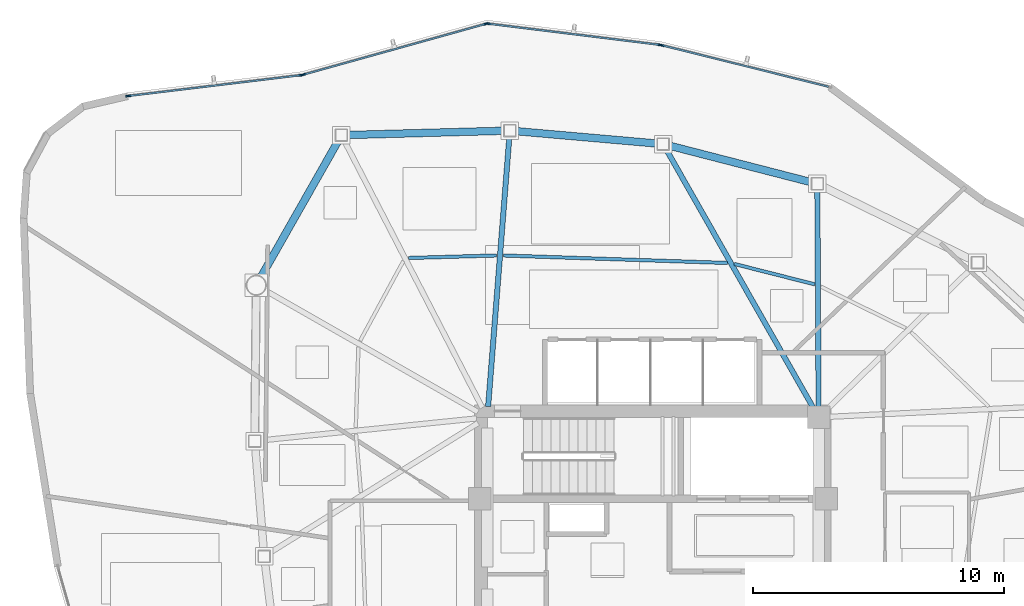
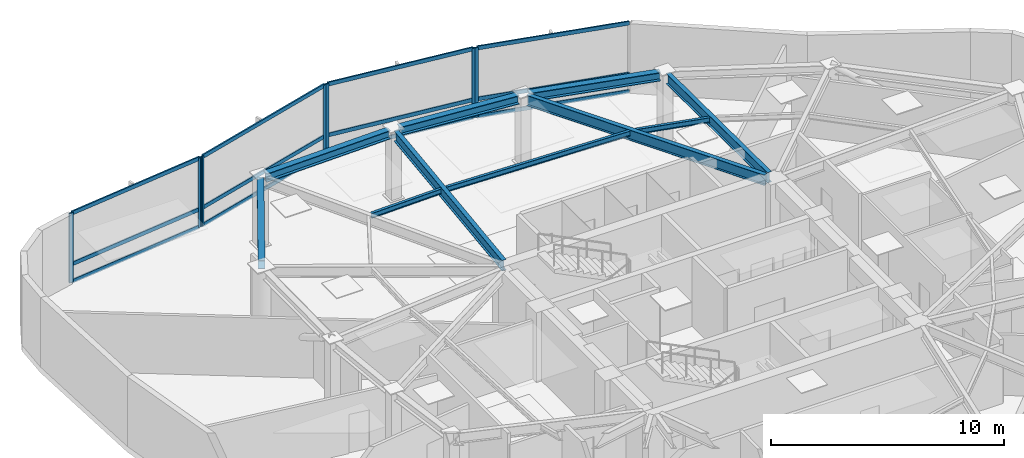
# One storey, part 6 of 14: 19 members, 10 beams, 4 elements without a shape of their own.
"""IFC4 building model written with IfcOpenShell, lengths in metres."""

from ifc_helpers import new_model, si_unit, direction, frame, origin, origin_2d, place, context, subcontext, project, spatial, hollow_rectangle, i_section, extrude, source, transform, mapped, material, layer, layer_set, material_profile, profile_set, type_object, type_shapes, element, aggregate, save


model = new_model("IFC4")

# Units and contexts
model_context = context("Model", 3, precision=1e-05, world=origin(), true_north=direction((0.0, 1.0)))
body_context = subcontext(model_context, "Body", "Model", "MODEL_VIEW")
ifc_project = project(units=[si_unit("LENGTHUNIT", "METRE"), si_unit("AREAUNIT", "SQUARE_METRE"), si_unit("VOLUMEUNIT", "CUBIC_METRE"), si_unit("PLANEANGLEUNIT", "RADIAN"), si_unit("MASSUNIT", "GRAM", prefix="KILO")], contexts=[model_context])

# Site, building, storey
site_placement = place(None, origin())
site = spatial("IfcSite", under=ifc_project, at=site_placement, CompositionType="ELEMENT")
building_placement = place(site_placement, origin())
building = spatial("IfcBuilding", under=site, at=building_placement, Name="Tavelor Broadcast Tower", CompositionType="ELEMENT")
storey_placement = place(building_placement, frame((0.0, 0.0, 249.800048828125)))
storey = spatial("IfcBuildingStorey", under=building, at=storey_placement, Name="L59", CompositionType="ELEMENT", Elevation=249.800048828125)

# Beams
ifc_material_1 = material(Name="Steel S355", Category="steel")
ifc_material_profile_1 = material_profile(ifc_material_1, i_section(OverallWidth=0.135009765625, OverallDepth=0.27001953125, WebThickness=0.006591796875, FlangeThickness=0.01025390625, at=origin_2d()), Name="IPE 270")
ifc_profile_set_1 = profile_set([ifc_material_profile_1], Name="Steel S355")
beam_type_1 = type_object("IfcBeamType", Name="Composite Floor Joist T6 IPE 270", PredefinedType="JOIST", material=ifc_profile_set_1)
beam_1_placement = place(storey_placement, frame((56.439208984375, 56.498779296875, 3.514892578125), z_axis=(-0.969346722977, 0.245696826706, 0.0), x_axis=(-0.245696826706, -0.969346722977, 0.0)))
element("IfcBeam", 1, at=beam_1_placement, inside=storey, type_object=beam_type_1, Name="L59 Secondary Composite Floor Joist 15", PredefinedType="JOIST", context=body_context, shape_type="SweptSolid", body=[
    extrude(i_section(OverallWidth=0.135009765625, OverallDepth=0.27001953125, WebThickness=0.006591796875, FlangeThickness=0.01025390625, at=origin_2d()), origin(), (0.0, 0.0, 1.0), 3.305908203125),
])
beam_2_placement = place(storey_placement, frame((52.970458984375, 57.348388671875, 3.514892578125), z_axis=(-0.999441322178, 0.033422201056, 0.0), x_axis=(-0.033422201056, -0.999441322178, 0.0)))
element("IfcBeam", 2, at=beam_2_placement, inside=storey, type_object=beam_type_1, Name="L59 Secondary Composite Floor Joist 16", PredefinedType="JOIST", context=body_context, shape_type="SweptSolid", body=[
    extrude(i_section(OverallWidth=0.135009765625, OverallDepth=0.27001953125, WebThickness=0.006591796875, FlangeThickness=0.01025390625, at=origin_2d()), origin(), (0.0, 0.0, 1.0), 8.93359375),
])
beam_3_placement = place(storey_placement, frame((43.773681640625, 57.647705078125, 3.514892578125), z_axis=(-0.999591520458, -0.028579577129, 0.0), x_axis=(0.028579577129, -0.999591520458, 0.0)))
element("IfcBeam", 3, at=beam_3_placement, inside=storey, type_object=beam_type_1, Name="L59 Secondary Composite Floor Joist 17", PredefinedType="JOIST", context=body_context, shape_type="SweptSolid", body=[
    extrude(i_section(OverallWidth=0.135009765625, OverallDepth=0.27001953125, WebThickness=0.006591796875, FlangeThickness=0.01025390625, at=origin_2d()), origin(), (0.0, 0.0, 1.0), 3.51953125),
])
ifc_material_profile_2 = material_profile(ifc_material_1, i_section(OverallWidth=0.300048828125, OverallDepth=0.449951171875, WebThickness=0.013916015625, FlangeThickness=0.02587890625, at=origin_2d()), Name="HEB 450")
ifc_profile_set_2 = profile_set([ifc_material_profile_2], Name="Steel S355")
beam_type_2 = type_object("IfcBeamType", Name="Perimeter Spandrel Beam T6 HEB 450", PredefinedType="SPANDREL", material=ifc_profile_set_2)
beam_4_placement = place(storey_placement, frame((56.313232421875, 60.56396484375, 3.425048828125), z_axis=(-0.968399822455, 0.249402854572, 0.0), x_axis=(-0.249402854572, -0.968399822455, 0.0)))
element("IfcBeam", 4, at=beam_4_placement, inside=storey, type_object=beam_type_2, Name="L59 Framed-Tube Ring Spandrel 15", PredefinedType="SPANDREL", context=body_context, shape_type="SweptSolid", body=[
    extrude(i_section(OverallWidth=0.300048828125, OverallDepth=0.449951171875, WebThickness=0.013916015625, FlangeThickness=0.02587890625, at=origin_2d()), origin(), (0.0, 0.0, 1.0), 5.858642578125),
])
beam_5_placement = place(storey_placement, frame((50.168212890625, 62.10595703125, 3.425048828125), z_axis=(-0.996167133993, 0.08747023009, 0.0), x_axis=(-0.08747023009, -0.996167133993, 0.0)))
element("IfcBeam", 5, at=beam_5_placement, inside=storey, type_object=beam_type_2, Name="L59 Framed-Tube Ring Spandrel 16", PredefinedType="SPANDREL", context=body_context, shape_type="SweptSolid", body=[
    extrude(i_section(OverallWidth=0.300048828125, OverallDepth=0.449951171875, WebThickness=0.013916015625, FlangeThickness=0.02587890625, at=origin_2d()), origin(), (0.0, 0.0, 1.0), 5.652099609375),
])
beam_6_placement = place(storey_placement, frame((44.058837890625, 62.61474609375, 3.425048828125), z_axis=(-0.99963121329, -0.027155798934, 0.0), x_axis=(0.027155798934, -0.99963121329, 0.0)))
element("IfcBeam", 6, at=beam_6_placement, inside=storey, type_object=beam_type_2, Name="L59 Framed-Tube Ring Spandrel 17", PredefinedType="SPANDREL", context=body_context, shape_type="SweptSolid", body=[
    extrude(i_section(OverallWidth=0.300048828125, OverallDepth=0.449951171875, WebThickness=0.013916015625, FlangeThickness=0.02587890625, at=origin_2d()), origin(), (0.0, 0.0, 1.0), 6.230224609375),
])
beam_7_placement = place(storey_placement, frame((37.472412109375, 62.23046875, 3.425048828125), z_axis=(-0.493720585512, -0.869620597411, 0.0), x_axis=(0.869620597411, -0.493720585512, 0.0)))
element("IfcBeam", 7, at=beam_7_placement, inside=storey, type_object=beam_type_2, Name="L59 Framed-Tube Ring Spandrel 18", PredefinedType="SPANDREL", context=body_context, shape_type="SweptSolid", body=[
    extrude(i_section(OverallWidth=0.300048828125, OverallDepth=0.449951171875, WebThickness=0.013916015625, FlangeThickness=0.02587890625, at=origin_2d()), origin(), (0.0, 0.0, 1.0), 6.245361328125),
])
ifc_material_profile_3 = material_profile(ifc_material_1, i_section(OverallWidth=0.2099609375, OverallDepth=0.550048828125, WebThickness=0.010986328125, FlangeThickness=0.01708984375, at=origin_2d()), Name="IPE 550")
ifc_profile_set_3 = profile_set([ifc_material_profile_3], Name="Steel S355")
beam_type_3 = type_object("IfcBeamType", Name="Radial Floor Girder T6 IPE 550", PredefinedType="BEAM", material=ifc_profile_set_3)
beam_8_placement = place(storey_placement, frame((56.597412109375, 51.632080078125, 3.375), z_axis=(-0.005826187281, 0.999983027627, 0.0), x_axis=(-0.999983027627, -0.005826187281, 0.0)))
element("IfcBeam", 8, at=beam_8_placement, inside=storey, type_object=beam_type_3, Name="L59 Radial Primary Floor Girder 15", PredefinedType="BEAM", context=body_context, shape_type="SweptSolid", body=[
    extrude(i_section(OverallWidth=0.2099609375, OverallDepth=0.550048828125, WebThickness=0.010986328125, FlangeThickness=0.01708984375, at=origin_2d()), origin(), (0.0, 0.0, 1.0), 8.63232421875),
])
beam_9_placement = place(storey_placement, frame((56.386474609375, 51.575439453125, 3.375), z_axis=(-0.49450305234, 0.869175891996, 0.0), x_axis=(-0.869175891996, -0.49450305234, 0.0)))
element("IfcBeam", 9, at=beam_9_placement, inside=storey, type_object=beam_type_3, Name="L59 Radial Primary Floor Girder 16", PredefinedType="BEAM", context=body_context, shape_type="SweptSolid", body=[
    extrude(i_section(OverallWidth=0.2099609375, OverallDepth=0.550048828125, WebThickness=0.010986328125, FlangeThickness=0.01708984375, at=origin_2d()), origin(), (0.0, 0.0, 1.0), 11.8515625),
])
beam_10_placement = place(storey_placement, frame((43.433837890625, 51.630615234375, 3.375), z_axis=(0.078462115784, 0.996917096045, 0.0), x_axis=(-0.996917096045, 0.078462115784, 0.0)))
element("IfcBeam", 10, at=beam_10_placement, inside=storey, type_object=beam_type_3, Name="L59 Radial Primary Floor Girder 17", PredefinedType="BEAM", context=body_context, shape_type="SweptSolid", body=[
    extrude(i_section(OverallWidth=0.2099609375, OverallDepth=0.550048828125, WebThickness=0.010986328125, FlangeThickness=0.01708984375, at=origin_2d()), origin(), (0.0, 0.0, 1.0), 10.78466796875),
])

# Curtain wall, member
ifc_material_2 = material(Name="Architectural Anodized Aluminium", Category="aluminium")
ifc_layer = layer(ifc_material_2, 0.199951171875)
ifc_layer_set = layer_set([ifc_layer], Name="Architectural Anodized Aluminium")
curtain_wall_type = type_object("IfcCurtainWallType", Name="Tower High-Zone Triple-Glazed Curtain Wall CW04", PredefinedType="NOTDEFINED", material=ifc_layer_set)
curtain_wall_1_placement = place(storey_placement, origin())
curtain_wall_1 = element("IfcCurtainWall", 11, at=curtain_wall_1_placement, inside=storey, type_object=curtain_wall_type, Name="L59 Curtain Wall CW04 Run 645", PredefinedType="NOTDEFINED")
ifc_material_profile_4 = material_profile(ifc_material_2, hollow_rectangle(XDim=0.070068359375, YDim=0.199951171875, WallThickness=0.02197265625, at=origin_2d()), Name="RHS 70x200x22")
ifc_profile_set_4 = profile_set([ifc_material_profile_4], Name="Architectural Anodized Aluminium")
member_type_1 = type_object("IfcMemberType", Name="CW04 Extruded Aluminium Mullion 70x200", PredefinedType="MULLION", material=ifc_profile_set_4)
shared_shape_1 = source(origin(), body_context, "Body", "SweptSolid", [
    extrude(hollow_rectangle(XDim=0.070068359375, YDim=0.199951171875, WallThickness=0.02197265625, at=origin_2d()), origin(), (0.0, 0.0, 1.0), 3.64990234375),
])
type_shapes(member_type_1, [shared_shape_1])
member_1_placement = place(storey_placement, frame((50.346923828125, 66.021728515625, 0.0), z_axis=(0.0, 0.0, 1.0), x_axis=(-0.241506124252, -0.970399295109, 0.0)))
member_1 = element("IfcMember", 12, at=member_1_placement, type_object=member_type_1, Name="CW04 mullion 2", PredefinedType="MULLION", context=body_context, shape_type="MappedRepresentation", body=[
    mapped(shared_shape_1, transform((0.0, 0.0, 0.0), scale=1.0)),
])

# Curtain wall, members
curtain_wall_2_placement = place(storey_placement, origin())
curtain_wall_2 = element("IfcCurtainWall", 13, at=curtain_wall_2_placement, inside=storey, type_object=curtain_wall_type, Name="L59 Curtain Wall CW04 Run 646", PredefinedType="NOTDEFINED")
member_2_placement = place(storey_placement, frame((50.248779296875, 66.039794921875, 0.0), z_axis=(0.0, 0.0, 1.0), x_axis=(-0.122298579455, -0.992493353863, 0.0)))
member_2 = element("IfcMember", 14, at=member_2_placement, type_object=member_type_1, Name="CW04 mullion 1", PredefinedType="MULLION", context=body_context, shape_type="MappedRepresentation", body=[
    mapped(shared_shape_1, transform((0.0, 0.0, 0.0), scale=1.0)),
])
member_3_placement = place(storey_placement, frame((43.4365234375, 66.879150390625, 0.0), z_axis=(0.0, 0.0, 1.0), x_axis=(-0.122298579455, -0.992493353863, 0.0)))
member_3 = element("IfcMember", 15, at=member_3_placement, type_object=member_type_1, Name="CW04 mullion 2", PredefinedType="MULLION", context=body_context, shape_type="MappedRepresentation", body=[
    mapped(shared_shape_1, transform((0.0, 0.0, 0.0), scale=1.0)),
])

curtain_wall_3_placement = place(storey_placement, origin())
curtain_wall_3 = element("IfcCurtainWall", 16, at=curtain_wall_3_placement, inside=storey, type_object=curtain_wall_type, Name="L59 Curtain Wall CW04 Run 647", PredefinedType="NOTDEFINED")
member_4_placement = place(storey_placement, frame((43.338623046875, 66.871826171875, 0.0), z_axis=(0.0, 0.0, 1.0), x_axis=(0.26824851982, -0.963349745219, 0.0)))
member_4 = element("IfcMember", 17, at=member_4_placement, type_object=member_type_1, Name="CW04 mullion 1", PredefinedType="MULLION", context=body_context, shape_type="MappedRepresentation", body=[
    mapped(shared_shape_1, transform((0.0, 0.0, 0.0), scale=1.0)),
])
member_5_placement = place(storey_placement, frame((36.06884765625, 64.84765625, 0.0), z_axis=(0.0, 0.0, 1.0), x_axis=(0.26824851982, -0.963349745219, 0.0)))
member_5 = element("IfcMember", 18, at=member_5_placement, type_object=member_type_1, Name="CW04 mullion 2", PredefinedType="MULLION", context=body_context, shape_type="MappedRepresentation", body=[
    mapped(shared_shape_1, transform((0.0, 0.0, 0.0), scale=1.0)),
])

curtain_wall_4_placement = place(storey_placement, origin())
curtain_wall_4 = element("IfcCurtainWall", 19, at=curtain_wall_4_placement, inside=storey, type_object=curtain_wall_type, Name="L59 Curtain Wall CW04 Run 648", PredefinedType="NOTDEFINED")
member_6_placement = place(storey_placement, frame((35.970947265625, 64.828125, 0.0), z_axis=(0.0, 0.0, 1.0), x_axis=(0.119729211583, -0.99280658534, 0.0)))
member_6 = element("IfcMember", 20, at=member_6_placement, type_object=member_type_1, Name="CW04 mullion 1", PredefinedType="MULLION", context=body_context, shape_type="MappedRepresentation", body=[
    mapped(shared_shape_1, transform((0.0, 0.0, 0.0), scale=1.0)),
])
member_7_placement = place(storey_placement, frame((29.1025390625, 64.0, 0.0), z_axis=(0.0, 0.0, 1.0), x_axis=(0.119729211583, -0.99280658534, 0.0)))
member_7 = element("IfcMember", 21, at=member_7_placement, type_object=member_type_1, Name="CW04 mullion 2", PredefinedType="MULLION", context=body_context, shape_type="MappedRepresentation", body=[
    mapped(shared_shape_1, transform((0.0, 0.0, 0.0), scale=1.0)),
])

# Member
ifc_material_profile_5 = material_profile(ifc_material_2, hollow_rectangle(XDim=0.070068359375, YDim=0.199951171875, WallThickness=0.02197265625, at=origin_2d()), Name="RHS 70x200x22")
ifc_profile_set_5 = profile_set([ifc_material_profile_5], Name="Architectural Anodized Aluminium")
member_type_2 = type_object("IfcMemberType", Name="CW04 Extruded Aluminium Transom 70x200", PredefinedType="USERDEFINED", material=ifc_profile_set_5)
shared_shape_2 = source(origin(), body_context, "Body", "SweptSolid", [
    extrude(hollow_rectangle(XDim=0.070068359375, YDim=0.199951171875, WallThickness=0.02197265625, at=origin_2d()), origin(), (0.0, 0.0, 1.0), 6.808837890625),
])
member_8_placement = place(storey_placement, frame((56.98828125, 64.368896484375, 0.034912109375), z_axis=(-0.970403473081, 0.241489336063, 0.0), x_axis=(-0.241489336063, -0.970403473081, 0.0)))
member_8 = element("IfcMember", 22, at=member_8_placement, type_object=member_type_2, Name="CW04 transom 1.1", ObjectType="TRANSOM", PredefinedType="USERDEFINED", context=body_context, shape_type="MappedRepresentation", body=[
    mapped(shared_shape_2, transform((0.0, 0.0, 0.0), scale=1.0)),
])

member_9_placement = place(storey_placement, frame((56.98828125, 64.368896484375, 0.949951171875), z_axis=(-0.970403473081, 0.241489336063, 0.0), x_axis=(-0.241489336063, -0.970403473081, 0.0)))
member_9 = element("IfcMember", 23, at=member_9_placement, type_object=member_type_2, Name="CW04 transom 1.2", ObjectType="TRANSOM", PredefinedType="USERDEFINED", context=body_context, shape_type="MappedRepresentation", body=[
    mapped(shared_shape_2, transform((0.0, 0.0, 0.0), scale=1.0)),
])

member_10_placement = place(storey_placement, frame((56.98828125, 64.368896484375, 3.614990234375), z_axis=(-0.970403473081, 0.241489336063, 0.0), x_axis=(-0.241489336063, -0.970403473081, 0.0)))
member_10 = element("IfcMember", 24, at=member_10_placement, type_object=member_type_2, Name="CW04 transom 1.3", ObjectType="TRANSOM", PredefinedType="USERDEFINED", context=body_context, shape_type="MappedRepresentation", body=[
    mapped(shared_shape_2, transform((0.0, 0.0, 0.0), scale=1.0)),
])

aggregate(curtain_wall_1, [member_1, member_8, member_9, member_10])

shared_shape_3 = source(origin(), body_context, "Body", "SweptSolid", [
    extrude(hollow_rectangle(XDim=0.070068359375, YDim=0.199951171875, WallThickness=0.02197265625, at=origin_2d()), origin(), (0.0, 0.0, 1.0), 6.848388671875),
])
member_11_placement = place(storey_placement, frame((35.936279296875, 64.823974609375, 0.034912109375), z_axis=(-0.992808695011, -0.119711716681, 0.0), x_axis=(0.119711716681, -0.992808695011, 0.0)))
member_11 = element("IfcMember", 25, at=member_11_placement, type_object=member_type_2, Name="CW04 transom 1.1", ObjectType="TRANSOM", PredefinedType="USERDEFINED", context=body_context, shape_type="MappedRepresentation", body=[
    mapped(shared_shape_3, transform((0.0, 0.0, 0.0), scale=1.0)),
])

member_12_placement = place(storey_placement, frame((35.936279296875, 64.823974609375, 0.949951171875), z_axis=(-0.992808695011, -0.119711716681, 0.0), x_axis=(0.119711716681, -0.992808695011, 0.0)))
member_12 = element("IfcMember", 26, at=member_12_placement, type_object=member_type_2, Name="CW04 transom 1.2", ObjectType="TRANSOM", PredefinedType="USERDEFINED", context=body_context, shape_type="MappedRepresentation", body=[
    mapped(shared_shape_3, transform((0.0, 0.0, 0.0), scale=1.0)),
])

member_13_placement = place(storey_placement, frame((35.936279296875, 64.823974609375, 3.614990234375), z_axis=(-0.992808695011, -0.119711716681, 0.0), x_axis=(0.119711716681, -0.992808695011, 0.0)))
member_13 = element("IfcMember", 27, at=member_13_placement, type_object=member_type_2, Name="CW04 transom 1.3", ObjectType="TRANSOM", PredefinedType="USERDEFINED", context=body_context, shape_type="MappedRepresentation", body=[
    mapped(shared_shape_3, transform((0.0, 0.0, 0.0), scale=1.0)),
])

aggregate(curtain_wall_4, [member_6, member_7, member_11, member_12, member_13])

shared_shape_4 = source(origin(), body_context, "Body", "SweptSolid", [
    extrude(hollow_rectangle(XDim=0.070068359375, YDim=0.199951171875, WallThickness=0.02197265625, at=origin_2d()), origin(), (0.0, 0.0, 1.0), 6.7939453125),
])
member_14_placement = place(storey_placement, frame((50.214111328125, 66.0439453125, 0.034912109375), z_axis=(-0.992490352305, 0.122322935633, 0.0), x_axis=(-0.122322935633, -0.992490352305, 0.0)))
member_14 = element("IfcMember", 28, at=member_14_placement, type_object=member_type_2, Name="CW04 transom 1.1", ObjectType="TRANSOM", PredefinedType="USERDEFINED", context=body_context, shape_type="MappedRepresentation", body=[
    mapped(shared_shape_4, transform((0.0, 0.0, 0.0), scale=1.0)),
])

member_15_placement = place(storey_placement, frame((50.214111328125, 66.0439453125, 0.949951171875), z_axis=(-0.992490352305, 0.122322935633, 0.0), x_axis=(-0.122322935633, -0.992490352305, 0.0)))
member_15 = element("IfcMember", 29, at=member_15_placement, type_object=member_type_2, Name="CW04 transom 1.2", ObjectType="TRANSOM", PredefinedType="USERDEFINED", context=body_context, shape_type="MappedRepresentation", body=[
    mapped(shared_shape_4, transform((0.0, 0.0, 0.0), scale=1.0)),
])

member_16_placement = place(storey_placement, frame((50.214111328125, 66.0439453125, 3.614990234375), z_axis=(-0.992490352305, 0.122322935633, 0.0), x_axis=(-0.122322935633, -0.992490352305, 0.0)))
member_16 = element("IfcMember", 30, at=member_16_placement, type_object=member_type_2, Name="CW04 transom 1.3", ObjectType="TRANSOM", PredefinedType="USERDEFINED", context=body_context, shape_type="MappedRepresentation", body=[
    mapped(shared_shape_4, transform((0.0, 0.0, 0.0), scale=1.0)),
])

aggregate(curtain_wall_2, [member_2, member_3, member_14, member_15, member_16])

shared_shape_5 = source(origin(), body_context, "Body", "SweptSolid", [
    extrude(hollow_rectangle(XDim=0.070068359375, YDim=0.199951171875, WallThickness=0.02197265625, at=origin_2d()), origin(), (0.0, 0.0, 1.0), 7.476318359375),
])
type_shapes(member_type_2, [shared_shape_2, shared_shape_3, shared_shape_4, shared_shape_5])
member_17_placement = place(storey_placement, frame((43.304931640625, 66.862548828125, 0.034912109375), z_axis=(-0.963346954595, -0.268258541473, 0.0), x_axis=(0.268258541473, -0.963346954595, 0.0)))
member_17 = element("IfcMember", 31, at=member_17_placement, type_object=member_type_2, Name="CW04 transom 1.1", ObjectType="TRANSOM", PredefinedType="USERDEFINED", context=body_context, shape_type="MappedRepresentation", body=[
    mapped(shared_shape_5, transform((0.0, 0.0, 0.0), scale=1.0)),
])

member_18_placement = place(storey_placement, frame((43.304931640625, 66.862548828125, 0.949951171875), z_axis=(-0.963346954595, -0.268258541473, 0.0), x_axis=(0.268258541473, -0.963346954595, 0.0)))
member_18 = element("IfcMember", 32, at=member_18_placement, type_object=member_type_2, Name="CW04 transom 1.2", ObjectType="TRANSOM", PredefinedType="USERDEFINED", context=body_context, shape_type="MappedRepresentation", body=[
    mapped(shared_shape_5, transform((0.0, 0.0, 0.0), scale=1.0)),
])

member_19_placement = place(storey_placement, frame((43.304931640625, 66.862548828125, 3.614990234375), z_axis=(-0.963346954595, -0.268258541473, 0.0), x_axis=(0.268258541473, -0.963346954595, 0.0)))
member_19 = element("IfcMember", 33, at=member_19_placement, type_object=member_type_2, Name="CW04 transom 1.3", ObjectType="TRANSOM", PredefinedType="USERDEFINED", context=body_context, shape_type="MappedRepresentation", body=[
    mapped(shared_shape_5, transform((0.0, 0.0, 0.0), scale=1.0)),
])

aggregate(curtain_wall_3, [member_4, member_5, member_17, member_18, member_19])

save(model, "model.ifc")
